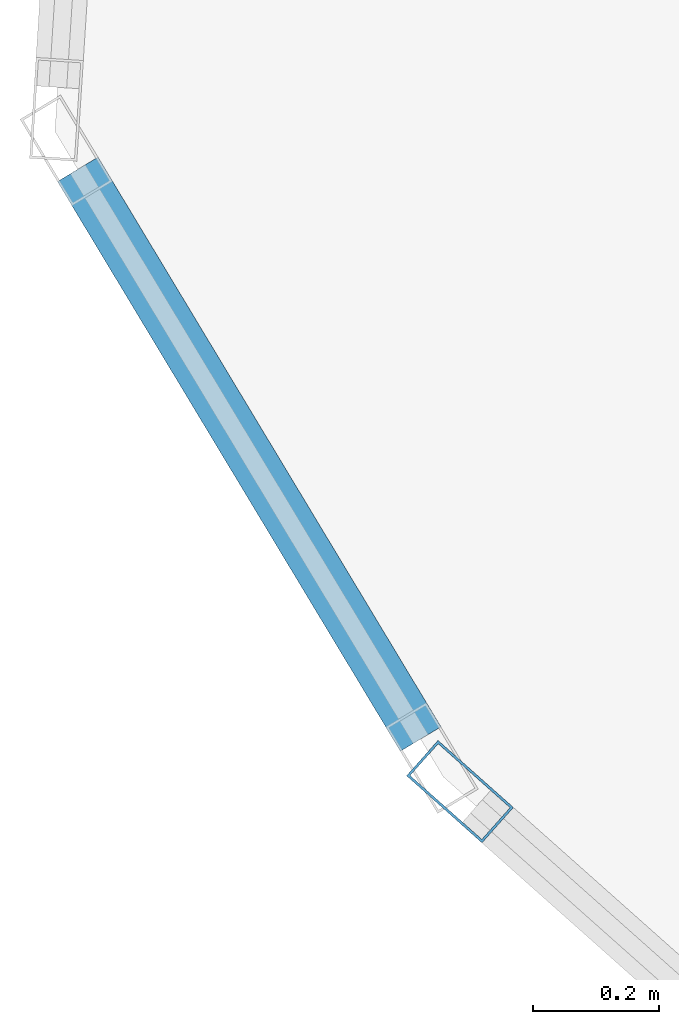
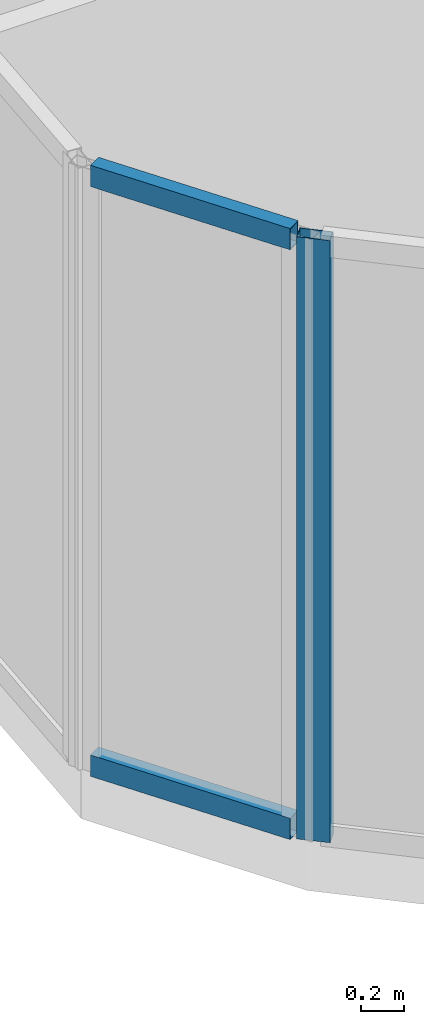
# One storey, part 4 of 27: 3 members, 2 elements without a shape of their own.
"""IFC4 building model written with IfcOpenShell, lengths in metres."""

import ifcopenshell
import ifcopenshell.guid

model = None  # the IFC model being written
_history = None  # IfcOwnerHistory: only IFC2X3 demands one
_inside = {}  # id of a spatial element -> (the spatial element, [elements in it])
_under = {}  # id of a project, library or spatial element -> (it, [spatial elements below it])
_declared = {}  # id of a project -> (the project, [libraries it declares])
_typed = {}  # id of a type object -> (the type object, [elements of that type])
_made_of = {}  # id of a material, layer set ... -> (it, [elements and type objects made of it])


def new_model(schema):
    """Start an empty IFC model of exactly this schema.

    Asked for "IFC4X3", IfcOpenShell would pick the latest addendum, in which some entities
    have other attributes; the version numbers below select the first issue.
    IFC2X3 requires an IfcOwnerHistory on every rooted entity: one is made here for all.
    """
    global model, _history
    if schema == "IFC4X3":
        model = ifcopenshell.file(schema_version=(4, 3, 0, 0))
    else:
        model = ifcopenshell.file(schema=schema)
    _inside.clear()
    _under.clear()
    _declared.clear()
    _typed.clear()
    _made_of.clear()
    _history = None
    if model.schema == "IFC2X3":
        org = make("IfcOrganization", Name="unknown")
        user = make(
            "IfcPersonAndOrganization",
            ThePerson=make("IfcPerson", FamilyName="unknown"),
            TheOrganization=org,
        )
        app = make(
            "IfcApplication",
            ApplicationDeveloper=org,
            Version="unknown",
            ApplicationFullName="unknown",
            ApplicationIdentifier="unknown",
        )
        _history = make(
            "IfcOwnerHistory",
            OwningUser=user,
            OwningApplication=app,
            ChangeAction="ADDED",
            CreationDate=0,
        )
    return model


def make(cls, **values):
    """One entity of the class cls with the attributes given. An attribute that is None is left unset."""
    return model.create_entity(
        cls, **{name: value for name, value in values.items() if value is not None}
    )


def rooted(cls, **values):
    """An entity with a GlobalId (a new one), such as an element, a storey or a relation."""
    return make(cls, GlobalId=ifcopenshell.guid.new(), OwnerHistory=_history, **values)


def si_unit(unit_type, name, prefix=None):
    """IfcSIUnit, for example si_unit("LENGTHUNIT", "METRE", prefix="MILLI")."""
    return make("IfcSIUnit", UnitType=unit_type, Prefix=prefix, Name=name)


def assignment(units):
    """IfcUnitAssignment: the units of a project."""
    return None if units is None else make("IfcUnitAssignment", Units=units)


def point(xyz):
    """IfcCartesianPoint."""
    return None if xyz is None else make("IfcCartesianPoint", Coordinates=xyz)


def direction(xyz):
    """IfcDirection."""
    return None if xyz is None else make("IfcDirection", DirectionRatios=xyz)


def frame(location, z_axis=None, x_axis=None):
    """IfcAxis2Placement3D, a coordinate frame: its origin and axes. An axis left out is left unset."""
    return make(
        "IfcAxis2Placement3D",
        Location=point(location),
        Axis=direction(z_axis),
        RefDirection=direction(x_axis),
    )


def frame_2d(location, x_axis=None):
    """IfcAxis2Placement2D, a coordinate frame in the plane: its origin and x axis."""
    return make(
        "IfcAxis2Placement2D", Location=point(location), RefDirection=direction(x_axis)
    )


def origin():
    """The frame at (0, 0, 0) with its axes left unset."""
    return frame((0.0, 0.0, 0.0))


def origin_2d():
    """The frame at (0, 0) in the plane with its x axis left unset."""
    return frame_2d((0.0, 0.0))


def place(relative_to, where):
    """IfcLocalPlacement: puts the frame where relative to a parent placement (None: the world)."""
    return make(
        "IfcLocalPlacement", PlacementRelTo=relative_to, RelativePlacement=where
    )


def context(
    kind, dimensions, precision=None, world=None, true_north=None, identifier=None
):
    """IfcGeometricRepresentationContext, for example the 3D "Model" context."""
    return make(
        "IfcGeometricRepresentationContext",
        ContextIdentifier=identifier,
        ContextType=kind,
        CoordinateSpaceDimension=dimensions,
        Precision=precision,
        WorldCoordinateSystem=world,
        TrueNorth=true_north,
    )


def subcontext(parent, identifier, kind, view, scale=None):
    """IfcGeometricRepresentationSubContext, for example "Body" below "Model"."""
    return make(
        "IfcGeometricRepresentationSubContext",
        ContextIdentifier=identifier,
        ContextType=kind,
        ParentContext=parent,
        TargetScale=scale,
        TargetView=view,
    )


def project(units=None, contexts=None):
    """IfcProject with its units and contexts."""
    return rooted(
        "IfcProject",
        Name="project",
        RepresentationContexts=contexts,
        UnitsInContext=assignment(units),
    )


def spatial(cls, under=None, at=None, **own):
    """A site, building, storey or space (cls), placed at a placement, below another one or the project."""
    s = rooted(cls, ObjectPlacement=at, **own)
    if under is not None:
        _under.setdefault(under.id(), (under, []))[1].append(s)
    return s


def profile(cls, at=None, kind="AREA", **sizes):
    """A parametric profile (cls). Its sizes go by their IFC names, for example OverallWidth=200.0."""
    return make(cls, ProfileType=kind, Position=at, **sizes)


def hollow_rectangle(**sizes):
    """IfcRectangleHollowProfileDef."""
    return profile("IfcRectangleHollowProfileDef", **sizes)


def extrude(swept, where, along, depth):
    """IfcExtrudedAreaSolid: the profile swept, set in the frame where, extruded along a direction by depth."""
    return make(
        "IfcExtrudedAreaSolid",
        SweptArea=swept,
        Position=where,
        ExtrudedDirection=direction(along),
        Depth=depth,
    )


def shape(context_of_items, identifier, shape_type, items):
    """IfcShapeRepresentation: the items that make up one representation, for example the "Body"."""
    return make(
        "IfcShapeRepresentation",
        ContextOfItems=context_of_items,
        RepresentationIdentifier=identifier,
        RepresentationType=shape_type,
        Items=items,
    )


def material(Name=None, Category=None):
    """IfcMaterial."""
    return make("IfcMaterial", Name=Name, Category=Category)


def layer(
    of_material, thickness, ventilated=None, Name=None, Category=None, Priority=None
):
    """IfcMaterialLayer: one layer of a wall or slab, of a material (None: an air gap)."""
    return make(
        "IfcMaterialLayer",
        Material=of_material,
        LayerThickness=thickness,
        IsVentilated=ventilated,
        Name=Name,
        Category=Category,
        Priority=Priority,
    )


def layer_set(layers, Name=None):
    """IfcMaterialLayerSet."""
    return make("IfcMaterialLayerSet", MaterialLayers=layers, LayerSetName=Name)


def material_profile(
    of_material, cross_section, Name=None, Category=None, Priority=None
):
    """IfcMaterialProfile: a cross section and its material."""
    return make(
        "IfcMaterialProfile",
        Name=Name,
        Material=of_material,
        Profile=cross_section,
        Priority=Priority,
        Category=Category,
    )


def profile_set(profiles, Name=None, composite=None):
    """IfcMaterialProfileSet."""
    return make(
        "IfcMaterialProfileSet",
        Name=Name,
        MaterialProfiles=profiles,
        CompositeProfile=composite,
    )


def made_of(thing, what):
    """Note that an element or type object is made of a material, layer set ...; save() writes the relation."""
    if what is not None:
        _made_of.setdefault(what.id(), (what, []))[1].append(thing)
    return thing


def type_object(cls, material=None, **own):
    """A type object (cls), such as IfcWallType, which elements share."""
    return made_of(rooted(cls, **own), material)


def element(
    cls,
    number,
    at=None,
    inside=None,
    cuts=None,
    type_object=None,
    material=None,
    context=None,
    identifier="Body",
    shape_type=None,
    held_by="IfcProductDefinitionShape",
    body=None,
    shapes=None,
    **own,
):
    """One element of the class cls, such as IfcWall. Its Tag is "e" and its number.

    at: its placement. inside: the storey or other place that contains it. cuts: it is an
    opening in that element (IfcRelVoidsElement). A single representation is given by context,
    identifier, shape_type and body (its items); several are given by shapes. held_by: the class
    of the entity that holds the representations. save() writes the other relations.
    """
    e = rooted(cls, Tag="e%d" % number, ObjectPlacement=at, **own)
    if body is not None:
        shapes = [shape(context, identifier, shape_type, body)]
    if shapes is not None:
        e.Representation = make(held_by, Representations=shapes)
    if inside is not None:
        _inside.setdefault(inside.id(), (inside, []))[1].append(e)
    if cuts is not None:
        rooted(
            "IfcRelVoidsElement", RelatingBuildingElement=cuts, RelatedOpeningElement=e
        )
    if type_object is not None:
        _typed.setdefault(type_object.id(), (type_object, []))[1].append(e)
    return made_of(e, material)


def aggregate(whole, parts):
    """IfcRelAggregates: a whole, such as a stair, and the parts it consists of."""
    return rooted("IfcRelAggregates", RelatingObject=whole, RelatedObjects=parts)


def save(model, path):
    """Write the relations noted so far, then the file.

    IfcRelAggregates (storeys below a building ...), IfcRelContainedInSpatialStructure (elements
    in a storey), IfcRelDefinesByType, IfcRelAssociatesMaterial and IfcRelDeclares: one each for
    every whole, place, type object, material and project.
    """
    for whole, parts in _under.values():
        aggregate(whole, parts)
    for where, things in _inside.values():
        rooted(
            "IfcRelContainedInSpatialStructure",
            RelatedElements=things,
            RelatingStructure=where,
        )
    for kind, things in _typed.values():
        rooted("IfcRelDefinesByType", RelatedObjects=things, RelatingType=kind)
    for what, things in _made_of.values():
        rooted("IfcRelAssociatesMaterial", RelatedObjects=things, RelatingMaterial=what)
    for by, libraries in _declared.values():
        rooted("IfcRelDeclares", RelatingContext=by, RelatedDefinitions=libraries)
    model.write(path)


model = new_model("IFC4")

# Units and contexts
model_context = context("Model", 3, precision=1e-05, world=origin(), true_north=direction((0.0, 1.0)))
body_context = subcontext(model_context, "Body", "Model", "MODEL_VIEW")
ifc_project = project(units=[si_unit("LENGTHUNIT", "METRE"), si_unit("AREAUNIT", "SQUARE_METRE"), si_unit("VOLUMEUNIT", "CUBIC_METRE"), si_unit("PLANEANGLEUNIT", "RADIAN"), si_unit("MASSUNIT", "GRAM", prefix="KILO")], contexts=[model_context])

# Site, building, storey
site_placement = place(None, origin())
site = spatial("IfcSite", under=ifc_project, at=site_placement, CompositionType="ELEMENT")
building_placement = place(site_placement, origin())
building = spatial("IfcBuilding", under=site, at=building_placement, Name="Keshet Zoharim Tower", CompositionType="ELEMENT")
storey_placement = place(building_placement, frame((0.0, 0.0, 273.199951171875)))
storey = spatial("IfcBuildingStorey", under=building, at=storey_placement, Name="L68", CompositionType="ELEMENT", Elevation=273.199951171875)

# Curtain wall, member
ifc_material = material(Name="Aluminium 6063-T6", Category="aluminium")
ifc_layer = layer(ifc_material, 0.260009765625)
ifc_layer_set = layer_set([ifc_layer], Name="Aluminium 6063-T6")
curtain_wall_type = type_object("IfcCurtainWallType", Name="CW-SYS-06", PredefinedType="NOTDEFINED", material=ifc_layer_set)
curtain_wall_1_placement = place(storey_placement, origin())
curtain_wall_1 = element("IfcCurtainWall", 1, at=curtain_wall_1_placement, inside=storey, type_object=curtain_wall_type, Name="L68 Unitised Curtain Wall 16 Part 3", PredefinedType="NOTDEFINED")
ifc_material_profile_1 = material_profile(ifc_material, hollow_rectangle(XDim=0.074951171875, YDim=0.159912109375, WallThickness=0.00390625, at=origin_2d()), Name="MUL-75x160")
ifc_profile_set_1 = profile_set([ifc_material_profile_1], Name="Aluminium 6063-T6")
member_type_1 = type_object("IfcMemberType", Name="CWM-M15", PredefinedType="MULLION", material=ifc_profile_set_1)
member_1_placement = place(storey_placement, frame((4.061279296875, 21.7568359375, 0.0), z_axis=(0.0, 0.0, 1.0), x_axis=(-0.664363838836, -0.747409318679, 0.0)))
member_1 = element("IfcMember", 2, at=member_1_placement, type_object=member_type_1, Name="CW-06 mullion 2", PredefinedType="MULLION", context=body_context, shape_type="SweptSolid", body=[
    extrude(hollow_rectangle(XDim=0.074951171875, YDim=0.159912109375, WallThickness=0.00390625, at=origin_2d()), origin(), (0.0, 0.0, 1.0), 3.39013671875),
])
aggregate(curtain_wall_1, [member_1])

# Curtain wall, members
curtain_wall_2_placement = place(storey_placement, origin())
curtain_wall_2 = element("IfcCurtainWall", 3, at=curtain_wall_2_placement, inside=storey, type_object=curtain_wall_type, Name="L68 Unitised Curtain Wall 01", PredefinedType="NOTDEFINED")
ifc_material_profile_2 = material_profile(ifc_material, hollow_rectangle(XDim=0.074951171875, YDim=0.1201171875, WallThickness=0.00390625, at=origin_2d()), Name="TRN-75x120")
ifc_profile_set_2 = profile_set([ifc_material_profile_2], Name="Aluminium 6063-T6")
member_type_2 = type_object("IfcMemberType", Name="CWT-T12", PredefinedType="USERDEFINED", material=ifc_profile_set_2)
member_2_placement = place(storey_placement, frame((3.9990234375, 21.840087890625, 0.03515625), z_axis=(-0.515791194107, 0.856714330499, 0.0), x_axis=(-0.856714330499, -0.515791194107, 0.0)))
member_2 = element("IfcMember", 4, at=member_2_placement, type_object=member_type_2, Name="CW-06 transom 1.1", ObjectType="TRANSOM", PredefinedType="USERDEFINED", context=body_context, shape_type="SweptSolid", body=[
    extrude(hollow_rectangle(XDim=0.074951171875, YDim=0.1201171875, WallThickness=0.00390625, at=origin_2d()), origin(), (0.0, 0.0, 1.0), 1.052734375),
])
member_3_placement = place(storey_placement, frame((3.9990234375, 21.840087890625, 3.35498046875), z_axis=(-0.515791194107, 0.856714330499, 0.0), x_axis=(-0.856714330499, -0.515791194107, 0.0)))
member_3 = element("IfcMember", 5, at=member_3_placement, type_object=member_type_2, Name="CW-06 transom 1.2", ObjectType="TRANSOM", PredefinedType="USERDEFINED", context=body_context, shape_type="SweptSolid", body=[
    extrude(hollow_rectangle(XDim=0.074951171875, YDim=0.1201171875, WallThickness=0.00390625, at=origin_2d()), origin(), (0.0, 0.0, 1.0), 1.052734375),
])
aggregate(curtain_wall_2, [member_2, member_3])

save(model, "model.ifc")
